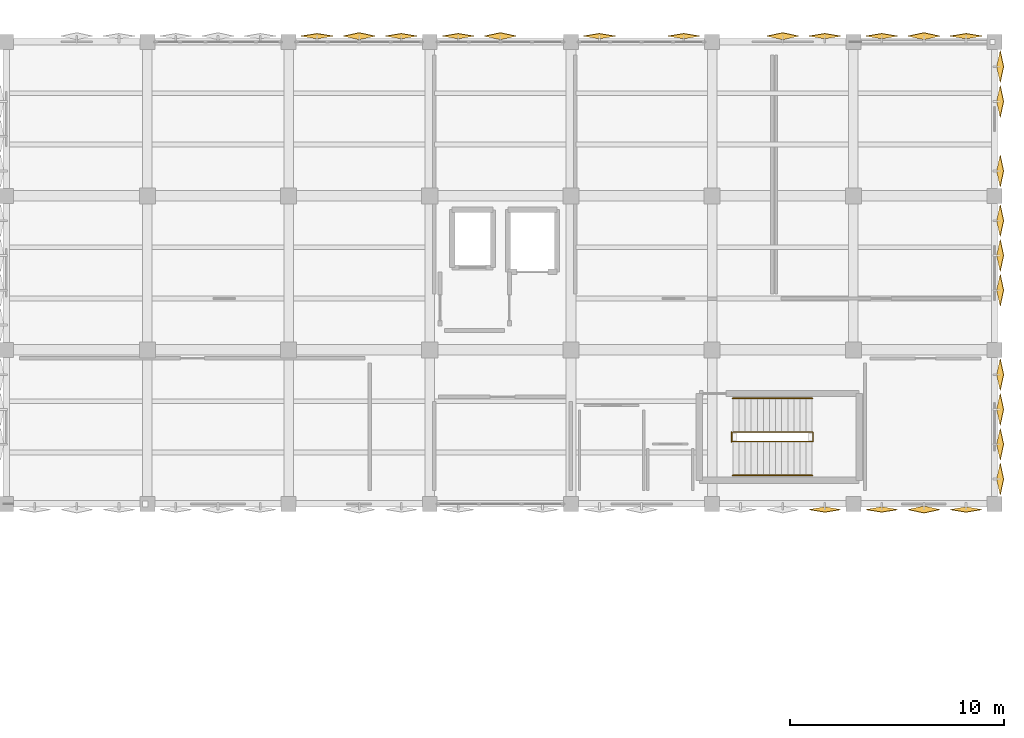
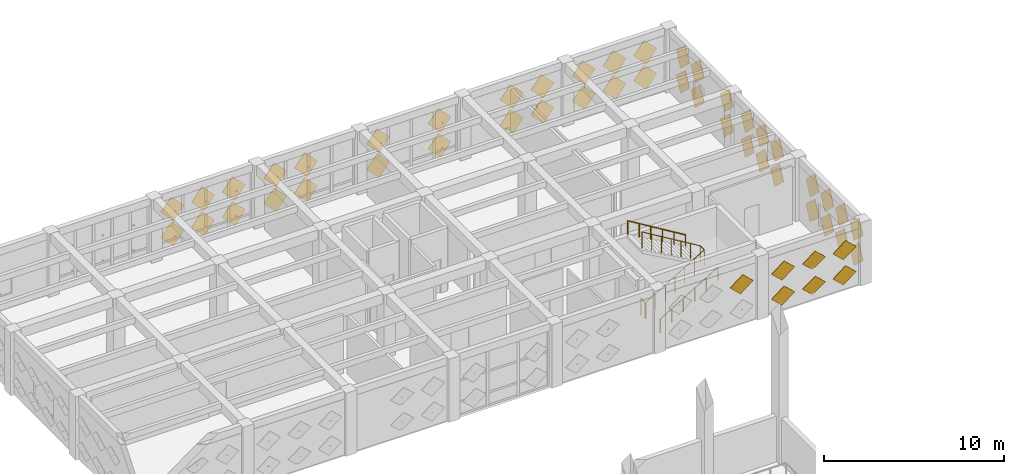
# One storey, part 80 of 80: 51 coverings, 4 railings.
"""IFC4 building model written with IfcOpenShell, lengths in metres."""

from ifc_helpers import new_model, si_unit, direction, frame, origin, origin_2d, place, context, subcontext, project, spatial, polyline, circle, outline, extrude, material, type_object, element, save


model = new_model("IFC4")

# Units and contexts
model_context = context("Model", 3, precision=1e-05, world=origin(), true_north=direction((0.0, 1.0)))
body_context = subcontext(model_context, "Body", "Model", "MODEL_VIEW")
ifc_project = project(units=[si_unit("LENGTHUNIT", "METRE"), si_unit("AREAUNIT", "SQUARE_METRE"), si_unit("VOLUMEUNIT", "CUBIC_METRE"), si_unit("PLANEANGLEUNIT", "RADIAN"), si_unit("MASSUNIT", "GRAM", prefix="KILO")], contexts=[model_context])

# Site, building, storey
site_placement = place(None, origin())
site = spatial("IfcSite", under=ifc_project, at=site_placement, CompositionType="ELEMENT")
building_placement = place(site_placement, origin())
building = spatial("IfcBuilding", under=site, at=building_placement, Name="Kharisveld Research Institute", CompositionType="ELEMENT")
storey_placement = place(building_placement, frame((0.0, 0.0, 5.10009765625)))
storey = spatial("IfcBuildingStorey", under=building, at=storey_placement, Name="L01", CompositionType="ELEMENT", Elevation=5.10009765625)

# Railings
ifc_material_1 = material(Name="Steel S355JR", Category="steel")
railing_type_1 = type_object("IfcRailingType", Name="RL_GRD_STR", PredefinedType="GUARDRAIL", material=ifc_material_1)
railing_1_placement = place(storey_placement, frame((148.570068359375, 42.110107421875, 0.0)))
element("IfcRailing", 1, at=railing_1_placement, inside=storey, type_object=railing_type_1, Name="RLG:ST3:L01:GRD_SLOT", PredefinedType="GUARDRAIL", context=body_context, shape_type="SweptSolid", body=[
    extrude(circle(Radius=0.02392578125, at=origin_2d()), frame((0.0, 0.0, 1.09619140625), z_axis=(0.857182128291, 0.0, 0.515013396853), x_axis=(0.0, 1.0, 0.0)), (0.0, 0.0, 1.0), 4.368896484375),
    extrude(circle(Radius=0.02392578125, at=origin_2d()), frame((3.744873046875, 0.0, 3.34619140625), z_axis=(0.0, 1.0, 0.0), x_axis=(-1.0, 0.0, 0.0)), (0.0, 0.0, 1.0), 0.43994140625),
    extrude(circle(Radius=0.02392578125, at=origin_2d()), frame((3.744873046875, 0.43994140625, 3.34619140625), z_axis=(-0.857182128291, 0.0, 0.515013396853), x_axis=(0.0, -1.0, 0.0)), (0.0, 0.0, 1.0), 4.368896484375),
    extrude(circle(Radius=0.02099609375, at=origin_2d()), origin(), (0.0, 0.0, 1.0), 1.072021484375),
    extrude(circle(Radius=0.02099609375, at=origin_2d()), frame((0.6240234375, 0.0, 0.375)), (0.0, 0.0, 1.0), 1.072021484375),
    extrude(circle(Radius=0.02099609375, at=origin_2d()), frame((1.248291015625, 0.0, 0.75)), (0.0, 0.0, 1.0), 1.072021484375),
    extrude(circle(Radius=0.02099609375, at=origin_2d()), frame((1.87255859375, 0.0, 1.125)), (0.0, 0.0, 1.0), 1.072021484375),
    extrude(circle(Radius=0.02099609375, at=origin_2d()), frame((2.49658203125, 0.0, 1.5)), (0.0, 0.0, 1.0), 1.072021484375),
    extrude(circle(Radius=0.02099609375, at=origin_2d()), frame((3.12060546875, 0.0, 1.875)), (0.0, 0.0, 1.0), 1.072021484375),
    extrude(circle(Radius=0.02099609375, at=origin_2d()), frame((3.744873046875, 0.0, 2.25)), (0.0, 0.0, 1.0), 1.072021484375),
    extrude(circle(Radius=0.02099609375, at=origin_2d()), frame((3.744873046875, 0.43994140625, 2.25)), (0.0, 0.0, 1.0), 1.072021484375),
    extrude(circle(Radius=0.02099609375, at=origin_2d()), frame((3.12060546875, 0.43994140625, 2.625)), (0.0, 0.0, 1.0), 1.072021484375),
    extrude(circle(Radius=0.02099609375, at=origin_2d()), frame((2.49658203125, 0.43994140625, 3.0)), (0.0, 0.0, 1.0), 1.072021484375),
    extrude(circle(Radius=0.02099609375, at=origin_2d()), frame((1.87255859375, 0.43994140625, 3.375)), (0.0, 0.0, 1.0), 1.072021484375),
    extrude(circle(Radius=0.02099609375, at=origin_2d()), frame((1.248291015625, 0.43994140625, 3.75)), (0.0, 0.0, 1.0), 1.072021484375),
    extrude(circle(Radius=0.02099609375, at=origin_2d()), frame((0.6240234375, 0.43994140625, 4.125)), (0.0, 0.0, 1.0), 1.072021484375),
    extrude(circle(Radius=0.02099609375, at=origin_2d()), frame((0.0, 0.43994140625, 4.5)), (0.0, 0.0, 1.0), 1.072021484375),
])
railing_2_placement = place(storey_placement, frame((148.510009765625, 42.110107421875, 0.0)))
element("IfcRailing", 2, at=railing_2_placement, inside=storey, type_object=railing_type_1, Name="RLG:ST3:L01:GRD_FLRSLOT", PredefinedType="GUARDRAIL", context=body_context, shape_type="SweptSolid", body=[
    extrude(circle(Radius=0.02392578125, at=origin_2d()), frame((0.0, 0.0, 1.09619140625), z_axis=(0.0, 1.0, 0.0), x_axis=(-1.0, 0.0, 0.0)), (0.0, 0.0, 1.0), 0.43994140625),
    extrude(circle(Radius=0.02099609375, at=origin_2d()), origin(), (0.0, 0.0, 1.0), 1.072021484375),
    extrude(circle(Radius=0.02099609375, at=origin_2d()), frame((0.0, 0.43994140625, 0.0)), (0.0, 0.0, 1.0), 1.072021484375),
])
ifc_material_2 = material(Name="Stainless Steel 316", Category="steel")
railing_type_2 = type_object("IfcRailingType", Name="RL_HND_STR", PredefinedType="HANDRAIL", material=ifc_material_2)
railing_3_placement = place(storey_placement, frame((148.570068359375, 40.530029296875, 0.0)))
element("IfcRailing", 3, at=railing_3_placement, inside=storey, type_object=railing_type_2, Name="RLG:ST3:L01:HR1", PredefinedType="HANDRAIL", context=body_context, shape_type="SweptSolid", body=[
    extrude(circle(Radius=0.02392578125, at=origin_2d()), frame((0.0, 0.0, 0.89599609375), z_axis=(0.854722365387, 0.0, 0.519085424673), x_axis=(0.0, 1.0, 0.0)), (0.0, 0.0, 1.0), 4.33447265625),
    extrude(circle(Radius=0.02099609375, at=origin_2d()), origin(), (0.0, 0.0, 1.0), 0.871826171875),
    extrude(circle(Radius=0.02099609375, at=origin_2d()), frame((0.740966796875, 0.0, 0.449951171875)), (0.0, 0.0, 1.0), 0.871826171875),
    extrude(circle(Radius=0.02099609375, at=origin_2d()), frame((1.48193359375, 0.0, 0.89990234375)), (0.0, 0.0, 1.0), 0.871826171875),
    extrude(circle(Radius=0.02099609375, at=origin_2d()), frame((2.222900390625, 0.0, 1.35009765625)), (0.0, 0.0, 1.0), 0.871826171875),
    extrude(circle(Radius=0.02099609375, at=origin_2d()), frame((2.9638671875, 0.0, 1.800048828125)), (0.0, 0.0, 1.0), 0.871826171875),
    extrude(circle(Radius=0.02099609375, at=origin_2d()), frame((3.704833984375, 0.0, 2.25)), (0.0, 0.0, 1.0), 0.871826171875),
])
railing_4_placement = place(storey_placement, frame((152.27490234375, 44.1298828125, 2.25)))
element("IfcRailing", 4, at=railing_4_placement, inside=storey, type_object=railing_type_2, Name="RLG:ST3:L01:HR2", PredefinedType="HANDRAIL", context=body_context, shape_type="SweptSolid", body=[
    extrude(circle(Radius=0.02392578125, at=origin_2d()), frame((0.0, 0.0, 0.89599609375), z_axis=(-0.854722365387, 0.0, 0.519085424673), x_axis=(0.0, -1.0, 0.0)), (0.0, 0.0, 1.0), 4.33447265625),
    extrude(circle(Radius=0.02099609375, at=origin_2d()), origin(), (0.0, 0.0, 1.0), 0.871826171875),
    extrude(circle(Radius=0.02099609375, at=origin_2d()), frame((-0.740966796875, 0.0, 0.449951171875)), (0.0, 0.0, 1.0), 0.871826171875),
    extrude(circle(Radius=0.02099609375, at=origin_2d()), frame((-1.48193359375, 0.0, 0.89990234375)), (0.0, 0.0, 1.0), 0.871826171875),
    extrude(circle(Radius=0.02099609375, at=origin_2d()), frame((-2.222900390625, 0.0, 1.35009765625)), (0.0, 0.0, 1.0), 0.871826171875),
    extrude(circle(Radius=0.02099609375, at=origin_2d()), frame((-2.9638671875, 0.0, 1.800048828125)), (0.0, 0.0, 1.0), 0.871826171875),
    extrude(circle(Radius=0.02099609375, at=origin_2d()), frame((-3.704833984375, 0.0, 2.25)), (0.0, 0.0, 1.0), 0.871826171875),
])

# Coverings
ifc_material_3 = material(Name="White Powder-Coated Perforated Aluminium", Category="aluminium")
covering_type = type_object("IfcCoveringType", Name="CV_DIA_105", PredefinedType="CLADDING")
covering_1_placement = place(storey_placement, frame((129.1298828125, 60.9375, 0.317626953125), z_axis=(0.0, -0.986282612269, 0.165065468031), x_axis=(0.707255049827, 0.116694432619, 0.69726085785)))
element("IfcCovering", 5, at=covering_1_placement, inside=storey, type_object=covering_type, material=ifc_material_3, Name="SHD:V2:L01:N2:S0C0", PredefinedType="CLADDING", context=body_context, shape_type="SweptSolid", body=[
    extrude(outline(polyline([(0.0, 0.0), (1.0500819774026109, 1.1102230246251565e-16), (1.0498117911607456, 1.050252186157772), (-0.00026774625358971793, 1.0499092877594485), (0.0, 0.0)])), origin(), (0.0, 0.0, -1.0), 0.02392578125),
])
covering_2_placement = place(storey_placement, frame((129.1298828125, 60.9375, 2.017578125), z_axis=(0.0, -0.986282612269, 0.165065468031), x_axis=(0.707140405383, 0.116713361327, 0.697373958764)))
element("IfcCovering", 6, at=covering_2_placement, inside=storey, type_object=covering_type, material=ifc_material_3, Name="SHD:V2:L01:N2:S0C1", PredefinedType="CLADDING", context=body_context, shape_type="SweptSolid", body=[
    extrude(outline(polyline([(0.0, 0.0), (1.0502522209116176, -1.1102230246251565e-16), (1.049982078466331, 1.0500819426543992), (7.275656939786934e-05, 1.0500795908797094), (0.0, 0.0)])), origin(), (0.0, 0.0, -1.0), 0.02392578125),
])
for number, where, z_axis, x_axis, name in (
    (7, (131.10009765625, 60.8994140625, 0.324951171875), (0.0, -0.97631069788, 0.216373337556), (0.707102116981, 0.153000063457, 0.6903604687), "SHD:V2:L01:N2:S1C0"),
    (8, (131.10009765625, 60.8994140625, 2.025146484375), (0.0, -0.97631069788, 0.216373337556), (0.707102116981, 0.153000063457, 0.6903604687), "SHD:V2:L01:N2:S1C1"),
):
    element("IfcCovering", number, at=place(storey_placement, frame(where, z_axis=z_axis, x_axis=x_axis)), inside=storey, type_object=covering_type, material=ifc_material_3, Name=name, PredefinedType="CLADDING", context=body_context, shape_type="SweptSolid", body=[
        extrude(outline(polyline([(0.0, 0.0), (1.0499638210603182, 0.0), (1.0499776725217052, 1.0499638209689517), (-0.00015878089139154117, 1.050136455599167), (0.0, 0.0)])), origin(), (0.0, 0.0, -1.0), 0.02392578125),
    ])
covering_3_placement = place(storey_placement, frame((133.070068359375, 60.9375, 0.317626953125), z_axis=(0.0, -0.986282612269, 0.165065468031), x_axis=(0.707138821552, 0.116713622787, 0.697375521014)))
element("IfcCovering", 9, at=covering_3_placement, inside=storey, type_object=covering_type, material=ifc_material_3, Name="SHD:V2:L01:N2:S2C0", PredefinedType="CLADDING", context=body_context, shape_type="SweptSolid", body=[
    extrude(outline(polyline([(0.0, 0.0), (1.049909321899567, 0.0), (1.0499844306250534, 1.0500795907141018), (-9.51489700736774e-05, 1.049909317588087), (0.0, 0.0)])), origin(), (0.0, 0.0, -1.0), 0.02392578125),
])
covering_4_placement = place(storey_placement, frame((133.070068359375, 60.9375, 2.017578125), z_axis=(0.0, -0.986282612269, 0.165065468031), x_axis=(0.707024158255, 0.116732548384, 0.697488603341)))
element("IfcCovering", 10, at=covering_4_placement, inside=storey, type_object=covering_type, material=ifc_material_3, Name="SHD:V2:L01:N2:S2C1", PredefinedType="CLADDING", context=body_context, shape_type="SweptSolid", body=[
    extrude(outline(polyline([(0.0, 0.0), (1.0500795934002414, -1.1102230246251565e-16), (1.0501546899467695, 1.0499093192138629), (0.0002453818500782745, 1.0500795647299133), (0.0, 0.0)])), origin(), (0.0, 0.0, -1.0), 0.02392578125),
])
covering_5_placement = place(storey_placement, frame((135.72998046875, 60.9375, 0.317626953125), z_axis=(0.0, -0.986282612269, 0.165065468031), x_axis=(0.707138821552, 0.116713622787, 0.697375521014)))
element("IfcCovering", 11, at=covering_5_placement, inside=storey, type_object=covering_type, material=ifc_material_3, Name="SHD:V2:L01:N3:S0C0", PredefinedType="CLADDING", context=body_context, shape_type="SweptSolid", body=[
    extrude(outline(polyline([(0.0, 0.0), (1.049909321899567, 0.0), (1.0499844306250534, 1.0500795907141018), (-9.51489700736774e-05, 1.049909317588087), (0.0, 0.0)])), origin(), (0.0, 0.0, -1.0), 0.02392578125),
])
covering_6_placement = place(storey_placement, frame((135.72998046875, 60.9375, 2.017578125), z_axis=(0.0, -0.986282612269, 0.165065468031), x_axis=(0.707024158255, 0.116732548384, 0.697488603341)))
element("IfcCovering", 12, at=covering_6_placement, inside=storey, type_object=covering_type, material=ifc_material_3, Name="SHD:V2:L01:N3:S0C1", PredefinedType="CLADDING", context=body_context, shape_type="SweptSolid", body=[
    extrude(outline(polyline([(0.0, 0.0), (1.0500795934002414, -1.1102230246251565e-16), (1.0501546899467695, 1.0499093192138629), (0.0002453818500782745, 1.0500795647299133), (0.0, 0.0)])), origin(), (0.0, 0.0, -1.0), 0.02392578125),
])
for number, where, z_axis, x_axis, name in (
    (13, (137.699951171875, 60.8994140625, 0.324951171875), (0.0, -0.97631069788, 0.216373337556), (0.707102116981, 0.153000063457, 0.6903604687), "SHD:V2:L01:N3:S1C0"),
    (14, (137.699951171875, 60.8994140625, 2.025146484375), (0.0, -0.97631069788, 0.216373337556), (0.707102116981, 0.153000063457, 0.6903604687), "SHD:V2:L01:N3:S1C1"),
):
    element("IfcCovering", number, at=place(storey_placement, frame(where, z_axis=z_axis, x_axis=x_axis)), inside=storey, type_object=covering_type, material=ifc_material_3, Name=name, PredefinedType="CLADDING", context=body_context, shape_type="SweptSolid", body=[
        extrude(outline(polyline([(0.0, 0.0), (1.0499638210603182, 0.0), (1.0499776725217052, 1.0499638209689517), (1.3851461386993336e-05, 1.0499638209689517), (0.0, 0.0)])), origin(), (0.0, 0.0, -1.0), 0.02392578125),
    ])
covering_7_placement = place(storey_placement, frame((142.330078125, 60.9375, 0.317626953125), z_axis=(0.0, -0.986282612269, 0.165065468031), x_axis=(0.707138821552, 0.116713622787, 0.697375521014)))
element("IfcCovering", 15, at=covering_7_placement, inside=storey, type_object=covering_type, material=ifc_material_3, Name="SHD:V2:L01:N4:S0C0", PredefinedType="CLADDING", context=body_context, shape_type="SweptSolid", body=[
    extrude(outline(polyline([(0.0, 0.0), (1.049909321899567, 0.0), (1.0499844306250534, 1.0500795907141018), (-9.51489700736774e-05, 1.049909317588087), (0.0, 0.0)])), origin(), (0.0, 0.0, -1.0), 0.02392578125),
])
covering_8_placement = place(storey_placement, frame((142.330078125, 60.9375, 2.017578125), z_axis=(0.0, -0.986282612269, 0.165065468031), x_axis=(0.707024158255, 0.116732548384, 0.697488603341)))
element("IfcCovering", 16, at=covering_8_placement, inside=storey, type_object=covering_type, material=ifc_material_3, Name="SHD:V2:L01:N4:S0C1", PredefinedType="CLADDING", context=body_context, shape_type="SweptSolid", body=[
    extrude(outline(polyline([(0.0, 0.0), (1.0500795934002414, -1.1102230246251565e-16), (1.0501546899467695, 1.0499093192138629), (0.0002453818500782745, 1.0500795647299133), (0.0, 0.0)])), origin(), (0.0, 0.0, -1.0), 0.02392578125),
])
covering_9_placement = place(storey_placement, frame((146.27001953125, 60.9375, 0.317626953125), z_axis=(0.0, -0.986282612269, 0.165065468031), x_axis=(0.707138821552, 0.116713622787, 0.697375521014)))
element("IfcCovering", 17, at=covering_9_placement, inside=storey, type_object=covering_type, material=ifc_material_3, Name="SHD:V2:L01:N4:S2C0", PredefinedType="CLADDING", context=body_context, shape_type="SweptSolid", body=[
    extrude(outline(polyline([(0.0, 0.0), (1.049909321899567, 0.0), (1.0499844306250534, 1.0500795907141018), (-9.51489700736774e-05, 1.049909317588087), (0.0, 0.0)])), origin(), (0.0, 0.0, -1.0), 0.02392578125),
])
covering_10_placement = place(storey_placement, frame((146.27001953125, 60.9375, 2.017578125), z_axis=(0.0, -0.986282612269, 0.165065468031), x_axis=(0.707024158255, 0.116732548384, 0.697488603341)))
element("IfcCovering", 18, at=covering_10_placement, inside=storey, type_object=covering_type, material=ifc_material_3, Name="SHD:V2:L01:N4:S2C1", PredefinedType="CLADDING", context=body_context, shape_type="SweptSolid", body=[
    extrude(outline(polyline([(0.0, 0.0), (1.0500795934002414, -1.1102230246251565e-16), (1.0501546899467695, 1.0499093192138629), (0.0002453818500782745, 1.0500795647299133), (0.0, 0.0)])), origin(), (0.0, 0.0, -1.0), 0.02392578125),
])
for number, where, z_axis, x_axis, name in (
    (19, (150.89990234375, 60.8994140625, 0.324951171875), (0.0, -0.97631069788, 0.216373337556), (0.707218351292, 0.152974909648, 0.690246970738), "SHD:V2:L01:N5:S1C0"),
    (20, (150.89990234375, 60.8994140625, 2.025146484375), (0.0, -0.97631069788, 0.216373337556), (0.707218351292, 0.152974909648, 0.690246970738), "SHD:V2:L01:N5:S1C1"),
):
    element("IfcCovering", number, at=place(storey_placement, frame(where, z_axis=z_axis, x_axis=x_axis)), inside=storey, type_object=covering_type, material=ifc_material_3, Name=name, PredefinedType="CLADDING", context=body_context, shape_type="SweptSolid", body=[
        extrude(outline(polyline([(0.0, 0.0), (1.0501364676030216, 1.1102230246251565e-16), (1.0498050520855338, 1.0501364153068435), (-0.00015875478719196146, 1.0499638090584367), (0.0, 0.0)])), origin(), (0.0, 0.0, -1.0), 0.02392578125),
    ])
covering_11_placement = place(storey_placement, frame((152.8701171875, 60.9375, 0.317626953125), z_axis=(0.0, -0.986282612269, 0.165065468031), x_axis=(0.707138821552, 0.116713622787, 0.697375521014)))
element("IfcCovering", 21, at=covering_11_placement, inside=storey, type_object=covering_type, material=ifc_material_3, Name="SHD:V2:L01:N5:S2C0", PredefinedType="CLADDING", context=body_context, shape_type="SweptSolid", body=[
    extrude(outline(polyline([(0.0, 0.0), (1.049909321899567, 0.0), (1.0499844306250534, 1.0500795907141018), (-0.0002677902839293145, 1.0500819432568782), (0.0, 0.0)])), origin(), (0.0, 0.0, -1.0), 0.02392578125),
])
covering_12_placement = place(storey_placement, frame((152.8701171875, 60.9375, 2.017578125), z_axis=(0.0, -0.986282612269, 0.165065468031), x_axis=(0.707024158255, 0.116732548384, 0.697488603341)))
element("IfcCovering", 22, at=covering_12_placement, inside=storey, type_object=covering_type, material=ifc_material_3, Name="SHD:V2:L01:N5:S2C1", PredefinedType="CLADDING", context=body_context, shape_type="SweptSolid", body=[
    extrude(outline(polyline([(0.0, 0.0), (1.0500795934002414, -1.1102230246251565e-16), (1.0501546899467695, 1.0499093192138629), (7.276853019166918e-05, 1.050252218390671), (0.0, 0.0)])), origin(), (0.0, 0.0, -1.0), 0.02392578125),
])
covering_13_placement = place(storey_placement, frame((155.530029296875, 60.9375, 0.317626953125), z_axis=(0.0, -0.986282612269, 0.165065468031), x_axis=(0.707138821552, 0.116713622787, 0.697375521014)))
element("IfcCovering", 23, at=covering_13_placement, inside=storey, type_object=covering_type, material=ifc_material_3, Name="SHD:V2:L01:N6:S0C0", PredefinedType="CLADDING", context=body_context, shape_type="SweptSolid", body=[
    extrude(outline(polyline([(0.0, 0.0), (1.049909321899567, 0.0), (1.0499844306250534, 1.0500795907141018), (-9.51489700736774e-05, 1.049909317588087), (0.0, 0.0)])), origin(), (0.0, 0.0, -1.0), 0.02392578125),
])
covering_14_placement = place(storey_placement, frame((155.530029296875, 60.9375, 2.017578125), z_axis=(0.0, -0.986282612269, 0.165065468031), x_axis=(0.707024158255, 0.116732548384, 0.697488603341)))
element("IfcCovering", 24, at=covering_14_placement, inside=storey, type_object=covering_type, material=ifc_material_3, Name="SHD:V2:L01:N6:S0C1", PredefinedType="CLADDING", context=body_context, shape_type="SweptSolid", body=[
    extrude(outline(polyline([(0.0, 0.0), (1.0500795934002414, -1.1102230246251565e-16), (1.0501546899467695, 1.0499093192138629), (0.0002453818500782745, 1.0500795647299133), (0.0, 0.0)])), origin(), (0.0, 0.0, -1.0), 0.02392578125),
])
for number, where, z_axis, x_axis, name in (
    (25, (157.5, 60.8994140625, 0.324951171875), (0.0, -0.97631069788, 0.216373337556), (0.707102116981, 0.153000063457, 0.6903604687), "SHD:V2:L01:N6:S1C0"),
    (26, (157.5, 60.8994140625, 2.025146484375), (0.0, -0.97631069788, 0.216373337556), (0.707102116981, 0.153000063457, 0.6903604687), "SHD:V2:L01:N6:S1C1"),
):
    element("IfcCovering", number, at=place(storey_placement, frame(where, z_axis=z_axis, x_axis=x_axis)), inside=storey, type_object=covering_type, material=ifc_material_3, Name=name, PredefinedType="CLADDING", context=body_context, shape_type="SweptSolid", body=[
        extrude(outline(polyline([(0.0, 0.0), (1.0499638210603182, 0.0), (1.0499776725217052, 1.0499638209689517), (1.3851461386993336e-05, 1.0499638209689517), (0.0, 0.0)])), origin(), (0.0, 0.0, -1.0), 0.02392578125),
    ])
covering_15_placement = place(storey_placement, frame((159.469970703125, 60.9375, 0.317626953125), z_axis=(0.0, -0.986282612269, 0.165065468031), x_axis=(0.707138821552, 0.116713622787, 0.697375521014)))
element("IfcCovering", 27, at=covering_15_placement, inside=storey, type_object=covering_type, material=ifc_material_3, Name="SHD:V2:L01:N6:S2C0", PredefinedType="CLADDING", context=body_context, shape_type="SweptSolid", body=[
    extrude(outline(polyline([(0.0, 0.0), (1.049909321899567, 0.0), (1.0499844306250534, 1.0500795907141018), (-9.51489700736774e-05, 1.049909317588087), (0.0, 0.0)])), origin(), (0.0, 0.0, -1.0), 0.02392578125),
])
covering_16_placement = place(storey_placement, frame((159.469970703125, 60.9375, 2.017578125), z_axis=(0.0, -0.986282612269, 0.165065468031), x_axis=(0.707024158255, 0.116732548384, 0.697488603341)))
element("IfcCovering", 28, at=covering_16_placement, inside=storey, type_object=covering_type, material=ifc_material_3, Name="SHD:V2:L01:N6:S2C1", PredefinedType="CLADDING", context=body_context, shape_type="SweptSolid", body=[
    extrude(outline(polyline([(0.0, 0.0), (1.0500795934002414, -1.1102230246251565e-16), (1.0501546899467695, 1.0499093192138629), (0.0002453818500782745, 1.0500795647299133), (0.0, 0.0)])), origin(), (0.0, 0.0, -1.0), 0.02392578125),
])
for number, where, z_axis, x_axis, name in (
    (29, (160.8994140625, 59.641357421875, 0.324951171875), (-0.97631069788, 0.0, 0.216373337556), (0.152974909648, -0.707218351292, 0.690246970738), "SHD:V2:L01:E3:S0C0"),
    (30, (160.8994140625, 59.641357421875, 2.025146484375), (-0.97631069788, 0.0, 0.216373337556), (0.152974909648, -0.707218351292, 0.690246970738), "SHD:V2:L01:E3:S0C1"),
):
    element("IfcCovering", number, at=place(storey_placement, frame(where, z_axis=z_axis, x_axis=x_axis)), inside=storey, type_object=covering_type, material=ifc_material_3, Name=name, PredefinedType="CLADDING", context=body_context, shape_type="SweptSolid", body=[
        extrude(outline(polyline([(0.0, 0.0), (1.0501364676030216, 1.1102230246251565e-16), (1.0498050520855338, 1.0501364153068435), (-0.00015875478719196146, 1.0499638090584367), (0.0, 0.0)])), origin(), (0.0, 0.0, -1.0), 0.02392578125),
    ])
for number, where, z_axis, x_axis, name in (
    (31, (160.8994140625, 58.013671875, 0.324951171875), (-0.97631069788, 0.0, 0.216373337556), (0.153000063457, -0.707102116981, 0.6903604687), "SHD:V2:L01:E3:S1C0"),
    (32, (160.8994140625, 58.013671875, 2.025146484375), (-0.97631069788, 0.0, 0.216373337556), (0.153000063457, -0.707102116981, 0.6903604687), "SHD:V2:L01:E3:S1C1"),
    (33, (160.8994140625, 54.7587890625, 0.324951171875), (-0.97631069788, 0.0, 0.216373337556), (0.153000063457, -0.707102116981, 0.6903604687), "SHD:V2:L01:E3:S3C0"),
    (34, (160.8994140625, 54.7587890625, 2.025146484375), (-0.97631069788, 0.0, 0.216373337556), (0.153000063457, -0.707102116981, 0.6903604687), "SHD:V2:L01:E3:S3C1"),
    (35, (160.8994140625, 52.441162109375, 0.324951171875), (-0.97631069788, 0.0, 0.216373337556), (0.153000063457, -0.707102116981, 0.6903604687), "SHD:V2:L01:E2:S0C0"),
    (36, (160.8994140625, 52.441162109375, 2.025146484375), (-0.97631069788, 0.0, 0.216373337556), (0.153000063457, -0.707102116981, 0.6903604687), "SHD:V2:L01:E2:S0C1"),
    (37, (160.8994140625, 50.813720703125, 0.324951171875), (-0.97631069788, 0.0, 0.216373337556), (0.153000063457, -0.707102116981, 0.6903604687), "SHD:V2:L01:E2:S1C0"),
    (38, (160.8994140625, 50.813720703125, 2.025146484375), (-0.97631069788, 0.0, 0.216373337556), (0.153000063457, -0.707102116981, 0.6903604687), "SHD:V2:L01:E2:S1C1"),
    (39, (160.8994140625, 49.186279296875, 0.324951171875), (-0.97631069788, 0.0, 0.216373337556), (0.153000063457, -0.707102116981, 0.6903604687), "SHD:V2:L01:E2:S2C0"),
    (40, (160.8994140625, 49.186279296875, 2.025146484375), (-0.97631069788, 0.0, 0.216373337556), (0.153000063457, -0.707102116981, 0.6903604687), "SHD:V2:L01:E2:S2C1"),
    (41, (160.8994140625, 45.2412109375, 0.324951171875), (-0.97631069788, 0.0, 0.216373337556), (0.153000063457, -0.707102116981, 0.6903604687), "SHD:V2:L01:E1:S0C0"),
    (42, (160.8994140625, 45.2412109375, 2.025146484375), (-0.97631069788, 0.0, 0.216373337556), (0.153000063457, -0.707102116981, 0.6903604687), "SHD:V2:L01:E1:S0C1"),
    (43, (160.8994140625, 43.61376953125, 0.324951171875), (-0.97631069788, 0.0, 0.216373337556), (0.153000063457, -0.707102116981, 0.6903604687), "SHD:V2:L01:E1:S1C0"),
    (44, (160.8994140625, 43.61376953125, 2.025146484375), (-0.97631069788, 0.0, 0.216373337556), (0.153000063457, -0.707102116981, 0.6903604687), "SHD:V2:L01:E1:S1C1"),
    (45, (160.8994140625, 41.986328125, 0.324951171875), (-0.97631069788, 0.0, 0.216373337556), (0.153000063457, -0.707102116981, 0.6903604687), "SHD:V2:L01:E1:S2C0"),
    (46, (160.8994140625, 41.986328125, 2.025146484375), (-0.97631069788, 0.0, 0.216373337556), (0.153000063457, -0.707102116981, 0.6903604687), "SHD:V2:L01:E1:S2C1"),
):
    element("IfcCovering", number, at=place(storey_placement, frame(where, z_axis=z_axis, x_axis=x_axis)), inside=storey, type_object=covering_type, material=ifc_material_3, Name=name, PredefinedType="CLADDING", context=body_context, shape_type="SweptSolid", body=[
        extrude(outline(polyline([(0.0, 0.0), (1.0499638210603182, 0.0), (1.0499776725217052, 1.0499638209689517), (1.3851461386993336e-05, 1.0499638209689517), (0.0, 0.0)])), origin(), (0.0, 0.0, -1.0), 0.02392578125),
    ])
for number, where, z_axis, x_axis, name in (
    (47, (160.8994140625, 40.358642578125, 0.324951171875), (-0.97631069788, 0.0, 0.216373337556), (0.153000063457, -0.707102116981, 0.6903604687), "SHD:V2:L01:E1:S3C0"),
    (48, (160.8994140625, 40.358642578125, 2.025146484375), (-0.97631069788, 0.0, 0.216373337556), (0.153000063457, -0.707102116981, 0.6903604687), "SHD:V2:L01:E1:S3C1"),
):
    element("IfcCovering", number, at=place(storey_placement, frame(where, z_axis=z_axis, x_axis=x_axis)), inside=storey, type_object=covering_type, material=ifc_material_3, Name=name, PredefinedType="CLADDING", context=body_context, shape_type="SweptSolid", body=[
        extrude(outline(polyline([(0.0, 0.0), (1.0499638210603182, 0.0), (1.0499776725217052, 1.0499638209689517), (-0.00015878089139154117, 1.050136455599167), (0.0, 0.0)])), origin(), (0.0, 0.0, -1.0), 0.02392578125),
    ])
covering_17_placement = place(storey_placement, frame((159.469970703125, 39.0625, 0.317626953125), z_axis=(0.0, 0.986282612269, 0.165065468031), x_axis=(-0.707138821552, -0.116713622787, 0.697375521014)))
element("IfcCovering", 49, at=covering_17_placement, inside=storey, type_object=covering_type, material=ifc_material_3, Name="SHD:V2:L01:S7:S0C0", PredefinedType="CLADDING", context=body_context, shape_type="SweptSolid", body=[
    extrude(outline(polyline([(0.0, 0.0), (1.049909321899567, 0.0), (1.0499844306250534, 1.0500795907141018), (-9.51489700736774e-05, 1.049909317588087), (0.0, 0.0)])), origin(), (0.0, 0.0, -1.0), 0.02392578125),
])
covering_18_placement = place(storey_placement, frame((159.469970703125, 39.0625, 2.017578125), z_axis=(0.0, 0.986282612269, 0.165065468031), x_axis=(-0.707024158255, -0.116732548384, 0.697488603341)))
element("IfcCovering", 50, at=covering_18_placement, inside=storey, type_object=covering_type, material=ifc_material_3, Name="SHD:V2:L01:S7:S0C1", PredefinedType="CLADDING", context=body_context, shape_type="SweptSolid", body=[
    extrude(outline(polyline([(0.0, 0.0), (1.0500795934002414, -1.1102230246251565e-16), (1.0501546899467695, 1.0499093192138629), (0.0002453818500782745, 1.0500795647299133), (0.0, 0.0)])), origin(), (0.0, 0.0, -1.0), 0.02392578125),
])
for number, where, z_axis, x_axis, name in (
    (51, (157.5, 39.1005859375, 0.324951171875), (0.0, 0.97631069788, 0.216373337556), (-0.707102116981, -0.153000063457, 0.6903604687), "SHD:V2:L01:S7:S1C0"),
    (52, (157.5, 39.1005859375, 2.025146484375), (0.0, 0.97631069788, 0.216373337556), (-0.707102116981, -0.153000063457, 0.6903604687), "SHD:V2:L01:S7:S1C1"),
):
    element("IfcCovering", number, at=place(storey_placement, frame(where, z_axis=z_axis, x_axis=x_axis)), inside=storey, type_object=covering_type, material=ifc_material_3, Name=name, PredefinedType="CLADDING", context=body_context, shape_type="SweptSolid", body=[
        extrude(outline(polyline([(0.0, 0.0), (1.0499638210603182, 0.0), (1.0499776725217052, 1.0499638209689517), (1.3851461386993336e-05, 1.0499638209689517), (0.0, 0.0)])), origin(), (0.0, 0.0, -1.0), 0.02392578125),
    ])
covering_19_placement = place(storey_placement, frame((155.530029296875, 39.0625, 0.317626953125), z_axis=(0.0, 0.986282612269, 0.165065468031), x_axis=(-0.707138821552, -0.116713622787, 0.697375521014)))
element("IfcCovering", 53, at=covering_19_placement, inside=storey, type_object=covering_type, material=ifc_material_3, Name="SHD:V2:L01:S7:S2C0", PredefinedType="CLADDING", context=body_context, shape_type="SweptSolid", body=[
    extrude(outline(polyline([(0.0, 0.0), (1.049909321899567, 0.0), (1.0499844306250534, 1.0500795907141018), (-9.51489700736774e-05, 1.049909317588087), (0.0, 0.0)])), origin(), (0.0, 0.0, -1.0), 0.02392578125),
])
covering_20_placement = place(storey_placement, frame((155.530029296875, 39.0625, 2.017578125), z_axis=(0.0, 0.986282612269, 0.165065468031), x_axis=(-0.707024158255, -0.116732548384, 0.697488603341)))
element("IfcCovering", 54, at=covering_20_placement, inside=storey, type_object=covering_type, material=ifc_material_3, Name="SHD:V2:L01:S7:S2C1", PredefinedType="CLADDING", context=body_context, shape_type="SweptSolid", body=[
    extrude(outline(polyline([(0.0, 0.0), (1.0500795934002414, -1.1102230246251565e-16), (1.0501546899467695, 1.0499093192138629), (0.0002453818500782745, 1.0500795647299133), (0.0, 0.0)])), origin(), (0.0, 0.0, -1.0), 0.02392578125),
])
covering_21_placement = place(storey_placement, frame((152.8701171875, 39.0625, 2.017578125), z_axis=(0.0, 0.986282612269, 0.165065468031), x_axis=(-0.707140405383, -0.116713361327, 0.697373958764)))
element("IfcCovering", 55, at=covering_21_placement, inside=storey, type_object=covering_type, material=ifc_material_3, Name="SHD:V2:L01:S6:S0C1", PredefinedType="CLADDING", context=body_context, shape_type="SweptSolid", body=[
    extrude(outline(polyline([(0.0, 0.0), (1.0502522209116176, -1.1102230246251565e-16), (1.049982078466331, 1.0500819426543992), (7.275656939786934e-05, 1.0500795908797094), (0.0, 0.0)])), origin(), (0.0, 0.0, -1.0), 0.02392578125),
])

save(model, "model.ifc")
